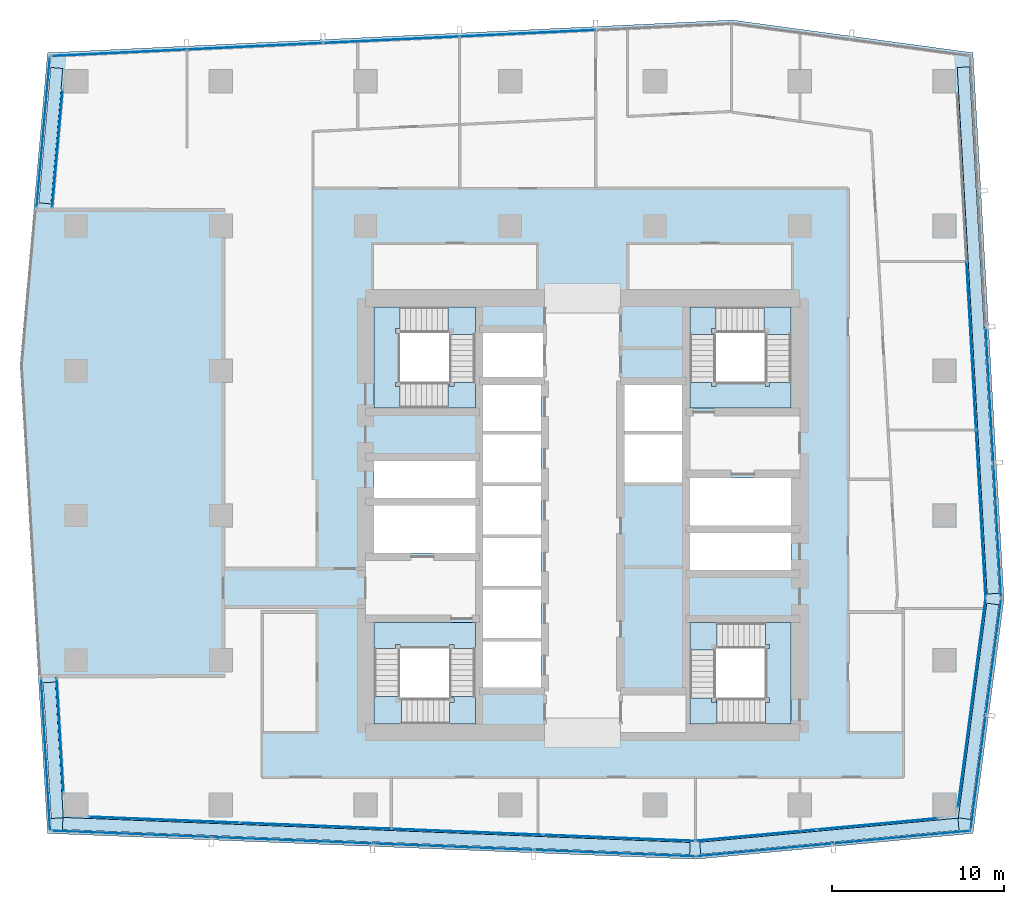
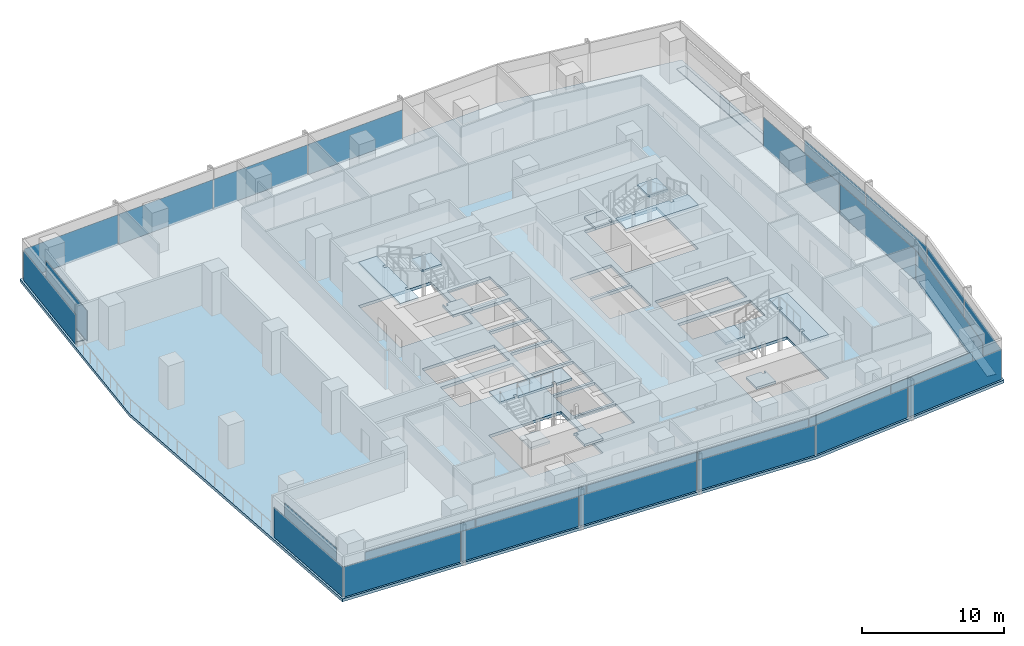
# One storey, part 23 of 35: 33 plates, 13 slabs, 17 elements without a shape of their own.
"""IFC4 building model written with IfcOpenShell, lengths in metres."""

from ifc_helpers import new_model, si_unit, direction, frame, origin, origin_2d, place, context, subcontext, project, spatial, polyline, rectangle, outline, extrude, material, layer, layer_set, type_object, element, aggregate, save


model = new_model("IFC4")

# Units and contexts
model_context = context("Model", 3, precision=1e-05, world=origin(), true_north=direction((0.0, 1.0)))
body_context = subcontext(model_context, "Body", "Model", "MODEL_VIEW")
ifc_project = project(units=[si_unit("LENGTHUNIT", "METRE"), si_unit("AREAUNIT", "SQUARE_METRE"), si_unit("VOLUMEUNIT", "CUBIC_METRE"), si_unit("PLANEANGLEUNIT", "RADIAN"), si_unit("MASSUNIT", "GRAM", prefix="KILO")], contexts=[model_context])

# Site, building, storey
site_placement = place(None, origin())
site = spatial("IfcSite", under=ifc_project, at=site_placement, CompositionType="ELEMENT")
building_placement = place(site_placement, origin())
building = spatial("IfcBuilding", under=site, at=building_placement, Name="Rekha Terrace Tower", CompositionType="ELEMENT")
storey_placement = place(building_placement, frame((0.0, 0.0, 191.449951171875)))
storey = spatial("IfcBuildingStorey", under=building, at=storey_placement, Name="L48", CompositionType="ELEMENT", Elevation=191.449951171875)

# Curtain wall, plates
ifc_material_1 = material(Name="Aluminium framing", Category="aluminium")
curtain_wall_type_1 = type_object("IfcCurtainWallType", Name="CW1 double skin inner glazing", PredefinedType="USERDEFINED", material=ifc_material_1)
curtain_wall_1_placement = place(storey_placement, origin())
curtain_wall_1 = element("IfcCurtainWall", 1, at=curtain_wall_1_placement, inside=storey, type_object=curtain_wall_type_1, Name="CW1 double skin inner glazing", ObjectType="DOUBLE SKIN INNER GLAZING", PredefinedType="USERDEFINED")
ifc_material_2 = material(Name="Double-glazed low-e unit 32", Category="glass")
ifc_layer_1 = layer(ifc_material_2, 0.031982421875)
ifc_layer_set_1 = layer_set([ifc_layer_1], Name="Double-glazed low-e unit 32")
plate_type_1 = type_object("IfcPlateType", Name="CW1 jumbo vision panel, double-glazed low-e unit 32", PredefinedType="CURTAIN_PANEL", material=ifc_layer_set_1)
plate_1_placement = place(storey_placement, frame((13.51318359375, 15.94091796875, 0.0), z_axis=(0.0, 0.0, 1.0), x_axis=(0.999204775798, -0.039872497061, 0.0)))
plate_1 = element("IfcPlate", 2, at=plate_1_placement, type_object=plate_type_1, Name="CW1 panel 1.1", PredefinedType="CURTAIN_PANEL", context=body_context, shape_type="SweptSolid", body=[
    extrude(rectangle(XDim=8.7138671875, YDim=0.031982421875, at=origin_2d()), origin(), (0.0, 0.0, 1.0), 2.60009765625),
])
plate_2_placement = place(storey_placement, frame((22.301025390625, 15.59033203125, 0.0), z_axis=(0.0, 0.0, 1.0), x_axis=(0.999204775798, -0.039872497061, 0.0)))
plate_2 = element("IfcPlate", 3, at=plate_2_placement, type_object=plate_type_1, Name="CW1 panel 2.1", PredefinedType="CURTAIN_PANEL", context=body_context, shape_type="SweptSolid", body=[
    extrude(rectangle(XDim=8.746337890625, YDim=0.031982421875, at=origin_2d()), origin(), (0.0, 0.0, 1.0), 2.60009765625),
])
plate_3_placement = place(storey_placement, frame((31.10546875, 15.239013671875, 0.0), z_axis=(0.0, 0.0, 1.0), x_axis=(0.999204775798, -0.039872497061, 0.0)))
plate_3 = element("IfcPlate", 4, at=plate_3_placement, type_object=plate_type_1, Name="CW1 panel 3.1", PredefinedType="CURTAIN_PANEL", context=body_context, shape_type="SweptSolid", body=[
    extrude(rectangle(XDim=8.746337890625, YDim=0.031982421875, at=origin_2d()), origin(), (0.0, 0.0, 1.0), 2.60009765625),
])
plate_4_placement = place(storey_placement, frame((39.926025390625, 14.886962890625, 0.0), z_axis=(0.0, 0.0, 1.0), x_axis=(0.999204775798, -0.039872497061, 0.0)))
plate_4 = element("IfcPlate", 5, at=plate_4_placement, type_object=plate_type_1, Name="CW1 panel 4.1", PredefinedType="CURTAIN_PANEL", context=body_context, shape_type="SweptSolid", body=[
    extrude(rectangle(XDim=8.77880859375, YDim=0.031982421875, at=origin_2d()), origin(), (0.0, 0.0, 1.0), 2.60009765625),
])
aggregate(curtain_wall_1, [plate_1, plate_2, plate_3, plate_4])

curtain_wall_2_placement = place(storey_placement, origin())
curtain_wall_2 = element("IfcCurtainWall", 6, at=curtain_wall_2_placement, inside=storey, type_object=curtain_wall_type_1, Name="CW1 double skin inner glazing", ObjectType="DOUBLE SKIN INNER GLAZING", PredefinedType="USERDEFINED")
plate_5_placement = place(storey_placement, frame((47.863037109375, 15.042724609375, 0.0), z_axis=(0.0, 0.0, 1.0), x_axis=(0.995693258742, 0.092708869564, 0.0)))
plate_5 = element("IfcPlate", 7, at=plate_5_placement, type_object=plate_type_1, Name="CW1 panel 1.1", PredefinedType="CURTAIN_PANEL", context=body_context, shape_type="SweptSolid", body=[
    extrude(rectangle(XDim=7.003173828125, YDim=0.031982421875, at=origin_2d()), origin(), (0.0, 0.0, 1.0), 2.60009765625),
])
plate_6_placement = place(storey_placement, frame((54.90087890625, 15.697998046875, 0.0), z_axis=(0.0, 0.0, 1.0), x_axis=(0.995693258742, 0.092708869564, 0.0)))
plate_6 = element("IfcPlate", 8, at=plate_6_placement, type_object=plate_type_1, Name="CW1 panel 2.1", PredefinedType="CURTAIN_PANEL", context=body_context, shape_type="SweptSolid", body=[
    extrude(rectangle(XDim=7.003173828125, YDim=0.031982421875, at=origin_2d()), origin(), (0.0, 0.0, 1.0), 2.60009765625),
])
aggregate(curtain_wall_2, [plate_5, plate_6])

# Curtain wall, plate
curtain_wall_3_placement = place(storey_placement, origin())
curtain_wall_3 = element("IfcCurtainWall", 9, at=curtain_wall_3_placement, inside=storey, type_object=curtain_wall_type_1, Name="CW1 double skin inner glazing", ObjectType="DOUBLE SKIN INNER GLAZING", PredefinedType="USERDEFINED")
plate_7_placement = place(storey_placement, frame((60.38330078125, 22.718505859375, 0.0), z_axis=(0.0, 0.0, 1.0), x_axis=(0.131303603093, 0.991342203185, 0.0)))
plate_7 = element("IfcPlate", 10, at=plate_7_placement, type_object=plate_type_1, Name="CW1 panel 1.1", PredefinedType="CURTAIN_PANEL", context=body_context, shape_type="SweptSolid", body=[
    extrude(rectangle(XDim=12.228759765625, YDim=0.031982421875, at=origin_2d()), origin(), (0.0, 0.0, 1.0), 2.60009765625),
])
aggregate(curtain_wall_3, [plate_7])

# Curtain wall, plates
curtain_wall_4_placement = place(storey_placement, origin())
curtain_wall_4 = element("IfcCurtainWall", 11, at=curtain_wall_4_placement, inside=storey, type_object=curtain_wall_type_1, Name="CW1 double skin inner glazing", ObjectType="DOUBLE SKIN INNER GLAZING", PredefinedType="USERDEFINED")
plate_8_placement = place(storey_placement, frame((60.90771484375, 33.68408203125, 0.0), z_axis=(0.0, 0.0, 1.0), x_axis=(-0.05667319486, 0.998392782919, 0.0)))
plate_8 = element("IfcPlate", 12, at=plate_8_placement, type_object=plate_type_1, Name="CW1 panel 1.1", PredefinedType="CURTAIN_PANEL", context=body_context, shape_type="SweptSolid", body=[
    extrude(rectangle(XDim=9.694091796875, YDim=0.031982421875, at=origin_2d()), origin(), (0.0, 0.0, 1.0), 2.60009765625),
])
plate_9_placement = place(storey_placement, frame((60.353759765625, 43.44384765625, 0.0), z_axis=(0.0, 0.0, 1.0), x_axis=(-0.05667319486, 0.998392782919, 0.0)))
plate_9 = element("IfcPlate", 13, at=plate_9_placement, type_object=plate_type_1, Name="CW1 panel 2.1", PredefinedType="CURTAIN_PANEL", context=body_context, shape_type="SweptSolid", body=[
    extrude(rectangle(XDim=9.7265625, YDim=0.031982421875, at=origin_2d()), origin(), (0.0, 0.0, 1.0), 2.60009765625),
])
aggregate(curtain_wall_4, [plate_8, plate_9])

# Curtain wall, plate
curtain_wall_5_placement = place(storey_placement, origin())
curtain_wall_5 = element("IfcCurtainWall", 14, at=curtain_wall_5_placement, inside=storey, type_object=curtain_wall_type_1, Name="CW1 double skin inner glazing", ObjectType="DOUBLE SKIN INNER GLAZING", PredefinedType="USERDEFINED")
plate_10_placement = place(storey_placement, frame((7.322265625, 54.880615234375, 0.0), z_axis=(0.0, 0.0, 1.0), x_axis=(-0.087957985436, -0.99612418543, 0.0)))
plate_10 = element("IfcPlate", 15, at=plate_10_placement, type_object=plate_type_1, Name="CW1 panel 1.1", PredefinedType="CURTAIN_PANEL", context=body_context, shape_type="SweptSolid", body=[
    extrude(rectangle(XDim=6.833984375, YDim=0.031982421875, at=origin_2d()), origin(), (0.0, 0.0, 1.0), 2.60009765625),
])
aggregate(curtain_wall_5, [plate_10])

curtain_wall_6_placement = place(storey_placement, origin())
curtain_wall_6 = element("IfcCurtainWall", 16, at=curtain_wall_6_placement, inside=storey, type_object=curtain_wall_type_1, Name="CW1 double skin inner glazing", ObjectType="DOUBLE SKIN INNER GLAZING", PredefinedType="USERDEFINED")
plate_11_placement = place(storey_placement, frame((7.47607421875, 20.85205078125, 0.0), z_axis=(0.0, 0.0, 1.0), x_axis=(0.058765082429, -0.998271839274, 0.0)))
plate_11 = element("IfcPlate", 17, at=plate_11_placement, type_object=plate_type_1, Name="CW1 panel 1.1", PredefinedType="CURTAIN_PANEL", context=body_context, shape_type="SweptSolid", body=[
    extrude(rectangle(XDim=6.6015625, YDim=0.031982421875, at=origin_2d()), origin(), (0.0, 0.0, 1.0), 2.60009765625),
])
aggregate(curtain_wall_6, [plate_11])

# Curtain wall, plates
curtain_wall_type_2 = type_object("IfcCurtainWallType", Name="CW2 double skin outer glazing", PredefinedType="USERDEFINED", material=ifc_material_1)
curtain_wall_7_placement = place(storey_placement, origin())
curtain_wall_7 = element("IfcCurtainWall", 18, at=curtain_wall_7_placement, inside=storey, type_object=curtain_wall_type_2, Name="CW2 double skin outer glazing", ObjectType="DOUBLE SKIN OUTER GLAZING", PredefinedType="USERDEFINED")
ifc_material_3 = material(Name="Toughened single glazing 12", Category="glass")
ifc_layer_2 = layer(ifc_material_3, 0.011962890625)
ifc_layer_set_2 = layer_set([ifc_layer_2], Name="Toughened single glazing 12")
plate_type_2 = type_object("IfcPlateType", Name="CW2 jumbo vision panel, toughened single glazing 12", PredefinedType="CURTAIN_PANEL", material=ifc_layer_set_2)
plate_12_placement = place(storey_placement, frame((11.6005859375, 15.116455078125, 0.0), z_axis=(0.0, 0.0, 1.0), x_axis=(0.999204775799, -0.039872497044, 0.0)))
plate_12 = element("IfcPlate", 19, at=plate_12_placement, type_object=plate_type_2, Name="CW2 panel 1.1", PredefinedType="CURTAIN_PANEL", context=body_context, shape_type="SweptSolid", body=[
    extrude(rectangle(XDim=9.24609375, YDim=0.011962890625, at=origin_2d()), origin(), (0.0, 0.0, 1.0), 2.60009765625),
])
plate_13_placement = place(storey_placement, frame((20.939208984375, 14.743896484375, 0.0), z_axis=(0.0, 0.0, 1.0), x_axis=(0.999204775799, -0.039872497044, 0.0)))
plate_13 = element("IfcPlate", 20, at=plate_13_placement, type_object=plate_type_2, Name="CW2 panel 2.1", PredefinedType="CURTAIN_PANEL", context=body_context, shape_type="SweptSolid", body=[
    extrude(rectangle(XDim=9.2861328125, YDim=0.011962890625, at=origin_2d()), origin(), (0.0, 0.0, 1.0), 2.60009765625),
])
plate_14_placement = place(storey_placement, frame((30.2978515625, 14.370361328125, 0.0), z_axis=(0.0, 0.0, 1.0), x_axis=(0.999204775799, -0.039872497044, 0.0)))
plate_14 = element("IfcPlate", 21, at=plate_14_placement, type_object=plate_type_2, Name="CW2 panel 3.1", PredefinedType="CURTAIN_PANEL", context=body_context, shape_type="SweptSolid", body=[
    extrude(rectangle(XDim=9.2861328125, YDim=0.011962890625, at=origin_2d()), origin(), (0.0, 0.0, 1.0), 2.60009765625),
])
plate_15_placement = place(storey_placement, frame((39.676513671875, 13.996337890625, 0.0), z_axis=(0.0, 0.0, 1.0), x_axis=(0.999204775799, -0.039872497044, 0.0)))
plate_15 = element("IfcPlate", 22, at=plate_15_placement, type_object=plate_type_2, Name="CW2 panel 4.1", PredefinedType="CURTAIN_PANEL", context=body_context, shape_type="SweptSolid", body=[
    extrude(rectangle(XDim=9.326171875, YDim=0.011962890625, at=origin_2d()), origin(), (0.0, 0.0, 1.0), 2.60009765625),
])
aggregate(curtain_wall_7, [plate_12, plate_13, plate_14, plate_15])

curtain_wall_8_placement = place(storey_placement, origin())
curtain_wall_8 = element("IfcCurtainWall", 23, at=curtain_wall_8_placement, inside=storey, type_object=curtain_wall_type_2, Name="CW2 double skin outer glazing", ObjectType="DOUBLE SKIN OUTER GLAZING", PredefinedType="USERDEFINED")
plate_16_placement = place(storey_placement, frame((48.348876953125, 14.183837890625, 0.0), z_axis=(0.0, 0.0, 1.0), x_axis=(0.995693258747, 0.092708869512, 0.0)))
plate_16 = element("IfcPlate", 24, at=plate_16_placement, type_object=plate_type_2, Name="CW2 panel 1.1", PredefinedType="CURTAIN_PANEL", context=body_context, shape_type="SweptSolid", body=[
    extrude(rectangle(XDim=7.900634765625, YDim=0.011962890625, at=origin_2d()), origin(), (0.0, 0.0, 1.0), 2.60009765625),
])
plate_17_placement = place(storey_placement, frame((56.3349609375, 14.927490234375, 0.0), z_axis=(0.0, 0.0, 1.0), x_axis=(0.995693258747, 0.092708869512, 0.0)))
plate_17 = element("IfcPlate", 25, at=plate_17_placement, type_object=plate_type_2, Name="CW2 panel 2.1", PredefinedType="CURTAIN_PANEL", context=body_context, shape_type="SweptSolid", body=[
    extrude(rectangle(XDim=7.980712890625, YDim=0.011962890625, at=origin_2d()), origin(), (0.0, 0.0, 1.0), 2.60009765625),
])
aggregate(curtain_wall_8, [plate_16, plate_17])

curtain_wall_9_placement = place(storey_placement, origin())
curtain_wall_9 = element("IfcCurtainWall", 26, at=curtain_wall_9_placement, inside=storey, type_object=curtain_wall_type_2, Name="CW2 double skin outer glazing", ObjectType="DOUBLE SKIN OUTER GLAZING", PredefinedType="USERDEFINED")
plate_18_placement = place(storey_placement, frame((60.756103515625, 18.679443359375, 0.0), z_axis=(0.0, 0.0, 1.0), x_axis=(0.131303603075, 0.991342203187, 0.0)))
plate_18 = element("IfcPlate", 27, at=plate_18_placement, type_object=plate_type_2, Name="CW2 panel 1.1", PredefinedType="CURTAIN_PANEL", context=body_context, shape_type="SweptSolid", body=[
    extrude(rectangle(XDim=6.6630859375, YDim=0.011962890625, at=origin_2d()), origin(), (0.0, 0.0, 1.0), 2.60009765625),
])
plate_19_placement = place(storey_placement, frame((61.646728515625, 25.40380859375, 0.0), z_axis=(0.0, 0.0, 1.0), x_axis=(0.131303603075, 0.991342203187, 0.0)))
plate_19 = element("IfcPlate", 28, at=plate_19_placement, type_object=plate_type_2, Name="CW2 panel 2.1", PredefinedType="CURTAIN_PANEL", context=body_context, shape_type="SweptSolid", body=[
    extrude(rectangle(XDim=6.742919921875, YDim=0.011962890625, at=origin_2d()), origin(), (0.0, 0.0, 1.0), 2.60009765625),
])
aggregate(curtain_wall_9, [plate_18, plate_19])

curtain_wall_10_placement = place(storey_placement, origin())
curtain_wall_10 = element("IfcCurtainWall", 29, at=curtain_wall_10_placement, inside=storey, type_object=curtain_wall_type_2, Name="CW2 double skin outer glazing", ObjectType="DOUBLE SKIN OUTER GLAZING", PredefinedType="USERDEFINED")
plate_20_placement = place(storey_placement, frame((61.8642578125, 32.71142578125, 0.0), z_axis=(0.0, 0.0, 1.0), x_axis=(-0.05667319486, 0.998392782919, 0.0)))
plate_20 = element("IfcPlate", 30, at=plate_20_placement, type_object=plate_type_2, Name="CW2 panel 1.1", PredefinedType="CURTAIN_PANEL", context=body_context, shape_type="SweptSolid", body=[
    extrude(rectangle(XDim=7.783447265625, YDim=0.011962890625, at=origin_2d()), origin(), (0.0, 0.0, 1.0), 2.60009765625),
])
plate_21_placement = place(storey_placement, frame((61.41748046875, 40.582275390625, 0.0), z_axis=(0.0, 0.0, 1.0), x_axis=(-0.05667319486, 0.998392782919, 0.0)))
plate_21 = element("IfcPlate", 31, at=plate_21_placement, type_object=plate_type_2, Name="CW2 panel 2.1", PredefinedType="CURTAIN_PANEL", context=body_context, shape_type="SweptSolid", body=[
    extrude(rectangle(XDim=7.823486328125, YDim=0.011962890625, at=origin_2d()), origin(), (0.0, 0.0, 1.0), 2.60009765625),
])
aggregate(curtain_wall_10, [plate_20, plate_21])

# Curtain wall, plate
curtain_wall_11_placement = place(storey_placement, origin())
curtain_wall_11 = element("IfcCurtainWall", 32, at=curtain_wall_11_placement, inside=storey, type_object=curtain_wall_type_2, Name="CW2 double skin outer glazing", ObjectType="DOUBLE SKIN OUTER GLAZING", PredefinedType="USERDEFINED")
plate_22_placement = place(storey_placement, frame((6.5048828125, 55.8544921875, 0.0), z_axis=(0.0, 0.0, 1.0), x_axis=(-0.087957985471, -0.996124185427, 0.0)))
plate_22 = element("IfcPlate", 33, at=plate_22_placement, type_object=plate_type_2, Name="CW2 panel 1.1", PredefinedType="CURTAIN_PANEL", context=body_context, shape_type="SweptSolid", body=[
    extrude(rectangle(XDim=8.759521484375, YDim=0.011962890625, at=origin_2d()), origin(), (0.0, 0.0, 1.0), 2.60009765625),
])
aggregate(curtain_wall_11, [plate_22])

curtain_wall_12_placement = place(storey_placement, origin())
curtain_wall_12 = element("IfcCurtainWall", 34, at=curtain_wall_12_placement, inside=storey, type_object=curtain_wall_type_2, Name="CW2 double skin outer glazing", ObjectType="DOUBLE SKIN OUTER GLAZING", PredefinedType="USERDEFINED")
plate_23_placement = place(storey_placement, frame((6.641357421875, 19.718017578125, 0.0), z_axis=(0.0, 0.0, 1.0), x_axis=(0.058765082534, -0.998271839268, 0.0)))
plate_23 = element("IfcPlate", 35, at=plate_23_placement, type_object=plate_type_2, Name="CW2 panel 1.1", PredefinedType="CURTAIN_PANEL", context=body_context, shape_type="SweptSolid", body=[
    extrude(rectangle(XDim=8.84326171875, YDim=0.011962890625, at=origin_2d()), origin(), (0.0, 0.0, 1.0), 2.60009765625),
])
aggregate(curtain_wall_12, [plate_23])

# Curtain wall, plates
curtain_wall_type_3 = type_object("IfcCurtainWallType", Name="CW3 north unitised glazing", PredefinedType="USERDEFINED", material=ifc_material_1)
curtain_wall_13_placement = place(storey_placement, origin())
curtain_wall_13 = element("IfcCurtainWall", 36, at=curtain_wall_13_placement, inside=storey, type_object=curtain_wall_type_3, Name="CW3 unitised curtain wall", ObjectType="UNITISED CURTAIN WALL", PredefinedType="USERDEFINED")
ifc_material_4 = material(Name="Double-glazed unit 28", Category="glass")
ifc_layer_3 = layer(ifc_material_4, 0.028076171875)
ifc_layer_set_3 = layer_set([ifc_layer_3], Name="Double-glazed unit 28")
plate_type_3 = type_object("IfcPlateType", Name="CW3 jumbo vision panel, double-glazed unit 28", PredefinedType="CURTAIN_PANEL", material=ifc_layer_set_3)
plate_24_placement = place(storey_placement, frame((34.61572265625, 61.58203125, 0.0), z_axis=(0.0, 0.0, 1.0), x_axis=(-0.998858906204, -0.047758616983, 0.0)))
plate_24 = element("IfcPlate", 37, at=plate_24_placement, type_object=plate_type_3, Name="CW3 panel 2.1", PredefinedType="CURTAIN_PANEL", context=body_context, shape_type="SweptSolid", body=[
    extrude(rectangle(XDim=7.84814453125, YDim=0.028076171875, at=origin_2d()), origin(), (0.0, 0.0, 1.0), 2.60009765625),
])
plate_25_placement = place(storey_placement, frame((26.70654296875, 61.203857421875, 0.0), z_axis=(0.0, 0.0, 1.0), x_axis=(-0.998858906204, -0.047758616983, 0.0)))
plate_25 = element("IfcPlate", 38, at=plate_25_placement, type_object=plate_type_3, Name="CW3 panel 3.1", PredefinedType="CURTAIN_PANEL", context=body_context, shape_type="SweptSolid", body=[
    extrude(rectangle(XDim=7.84814453125, YDim=0.028076171875, at=origin_2d()), origin(), (0.0, 0.0, 1.0), 2.60009765625),
])
plate_26_placement = place(storey_placement, frame((18.79736328125, 60.82568359375, 0.0), z_axis=(0.0, 0.0, 1.0), x_axis=(-0.998858906204, -0.047758616983, 0.0)))
plate_26 = element("IfcPlate", 39, at=plate_26_placement, type_object=plate_type_3, Name="CW3 panel 4.1", PredefinedType="CURTAIN_PANEL", context=body_context, shape_type="SweptSolid", body=[
    extrude(rectangle(XDim=7.84814453125, YDim=0.028076171875, at=origin_2d()), origin(), (0.0, 0.0, 1.0), 2.60009765625),
])
plate_27_placement = place(storey_placement, frame((10.906005859375, 60.448486328125, 0.0), z_axis=(0.0, 0.0, 1.0), x_axis=(-0.998858906204, -0.047758616983, 0.0)))
plate_27 = element("IfcPlate", 40, at=plate_27_placement, type_object=plate_type_3, Name="CW3 panel 5.1", PredefinedType="CURTAIN_PANEL", context=body_context, shape_type="SweptSolid", body=[
    extrude(rectangle(XDim=7.81298828125, YDim=0.028076171875, at=origin_2d()), origin(), (0.0, 0.0, 1.0), 2.60009765625),
])
aggregate(curtain_wall_13, [plate_24, plate_25, plate_26, plate_27])

# Plates
ifc_material_5 = material(Name="Galvanised steel open grating", Category="steel")
ifc_layer_4 = layer(ifc_material_5, 0.050048828125)
ifc_layer_set_4 = layer_set([ifc_layer_4], Name="Galvanised steel open grating")
plate_type_4 = type_object("IfcPlateType", Name="GT1 cavity walkway grating 50", PredefinedType="USERDEFINED", material=ifc_layer_set_4)
plate_28_placement = place(storey_placement, frame((25.8251953125, 14.999267578125, 0.0), z_axis=(0.0, 0.0, 1.0), x_axis=(0.999204775799, -0.039872497044, 0.0)))
element("IfcPlate", 41, at=plate_28_placement, inside=storey, type_object=plate_type_4, Name="Cavity walkway grating", ObjectType="CAVITY WALKWAY GRATING", PredefinedType="USERDEFINED", context=body_context, shape_type="SweptSolid", body=[
    extrude(rectangle(XDim=36.4267578125, YDim=0.705078125, at=origin_2d()), origin(), (0.0, 0.0, 1.0), 0.050048828125),
])
plate_29_placement = place(storey_placement, frame((52.116455078125, 14.98681640625, 0.0), z_axis=(0.0, 0.0, 1.0), x_axis=(0.995693258745, 0.092708869529, 0.0)))
element("IfcPlate", 42, at=plate_29_placement, inside=storey, type_object=plate_type_4, Name="Cavity walkway grating", ObjectType="CAVITY WALKWAY GRATING", PredefinedType="USERDEFINED", context=body_context, shape_type="SweptSolid", body=[
    extrude(rectangle(XDim=15.052734375, YDim=0.705078125, at=origin_2d()), origin(), (0.0, 0.0, 1.0), 0.050048828125),
])
plate_30_placement = place(storey_placement, frame((60.7734375, 22.237548828125, 0.0), z_axis=(0.0, 0.0, 1.0), x_axis=(0.131303603075, 0.991342203187, 0.0)))
element("IfcPlate", 43, at=plate_30_placement, inside=storey, type_object=plate_type_4, Name="Cavity walkway grating", ObjectType="CAVITY WALKWAY GRATING", PredefinedType="USERDEFINED", context=body_context, shape_type="SweptSolid", body=[
    extrude(rectangle(XDim=12.564697265625, YDim=0.705078125, at=origin_2d()), origin(), (0.0, 0.0, 1.0), 0.050048828125),
])
plate_31_placement = place(storey_placement, frame((60.753662109375, 44.338134765625, 0.0), z_axis=(0.0, 0.0, 1.0), x_axis=(-0.05667319486, 0.998392782919, 0.0)))
element("IfcPlate", 44, at=plate_31_placement, inside=storey, type_object=plate_type_4, Name="Cavity walkway grating", ObjectType="CAVITY WALKWAY GRATING", PredefinedType="USERDEFINED", context=body_context, shape_type="SweptSolid", body=[
    extrude(rectangle(XDim=30.6005859375, YDim=0.705078125, at=origin_2d()), origin(), (0.0, 0.0, 1.0), 0.050048828125),
])
plate_32_placement = place(storey_placement, frame((6.9375, 55.63916015625, 0.0), z_axis=(0.0, 0.0, 1.0), x_axis=(-0.087957985471, -0.996124185427, 0.0)))
element("IfcPlate", 45, at=plate_32_placement, inside=storey, type_object=plate_type_4, Name="Cavity walkway grating", ObjectType="CAVITY WALKWAY GRATING", PredefinedType="USERDEFINED", context=body_context, shape_type="SweptSolid", body=[
    extrude(rectangle(XDim=7.886962890625, YDim=0.705078125, at=origin_2d()), origin(), (0.0, 0.0, 1.0), 0.050048828125),
])
plate_33_placement = place(storey_placement, frame((7.0771484375, 19.974853515625, 0.0), z_axis=(0.0, 0.0, 1.0), x_axis=(0.058765082516, -0.998271839269, 0.0)))
element("IfcPlate", 46, at=plate_33_placement, inside=storey, type_object=plate_type_4, Name="Cavity walkway grating", ObjectType="CAVITY WALKWAY GRATING", PredefinedType="USERDEFINED", context=body_context, shape_type="SweptSolid", body=[
    extrude(rectangle(XDim=7.88916015625, YDim=0.705078125, at=origin_2d()), origin(), (0.0, 0.0, 1.0), 0.050048828125),
])

# Stair, slabs
ifc_material_6 = material(Name="Concrete M40", Category="concrete")
stair_type = type_object("IfcStairType", Name="ST30 stair, 30 risers of 125, going 310, 1500 wide flights, 3 flights", PredefinedType="HALF_TURN_STAIR", material=ifc_material_6)
stair_1_placement = place(storey_placement, origin())
stair_1 = element("IfcStair", 47, at=stair_1_placement, inside=storey, type_object=stair_type, Name="Stair ST1 L48 to L49", PredefinedType="HALF_TURN_STAIR")
ifc_layer_5 = layer(ifc_material_6, 0.199951171875)
ifc_layer_set_5 = layer_set([ifc_layer_5], Name="Concrete M40")
slab_type_1 = type_object("IfcSlabType", Name="LD1 200 concrete stair landing", PredefinedType="LANDING", material=ifc_layer_set_5)
slab_1_placement = place(storey_placement, frame((0.0, 0.0, 1.050048828125)))
slab_1 = element("IfcSlab", 48, at=slab_1_placement, type_object=slab_type_1, Name="ST1 landing 1", PredefinedType="LANDING", context=body_context, shape_type="SweptSolid", body=[
    extrude(outline(polyline([(30.074951171875, 21.5), (31.574951171875, 21.5), (31.574951171875, 23.0849609375), (30.074951171875, 23.0849609375), (30.074951171875, 23.0), (30.324951171875, 23.0), (30.324951171875, 22.75), (30.074951171875, 22.75), (30.074951171875, 21.5)])), origin(), (0.0, 0.0, 1.0), 0.199951171875),
])
slab_2_placement = place(storey_placement, frame((0.0, 0.0, 2.300048828125)))
slab_2 = element("IfcSlab", 49, at=slab_2_placement, type_object=slab_type_1, Name="ST1 landing 2", PredefinedType="LANDING", context=body_context, shape_type="SweptSolid", body=[
    extrude(outline(polyline([(27.199951171875, 23.0849609375), (25.699951171875, 23.0849609375), (25.699951171875, 21.5), (27.284912109375, 21.5), (27.284912109375, 23.0), (27.199951171875, 23.0), (27.199951171875, 23.0849609375)])), origin(), (0.0, 0.0, 1.0), 0.199951171875),
])
slab_3_placement = place(storey_placement, frame((0.0, 0.0, 3.550048828125)))
slab_3 = element("IfcSlab", 50, at=slab_3_placement, type_object=slab_type_1, Name="ST1 landing 3", PredefinedType="LANDING", context=body_context, shape_type="SweptSolid", body=[
    extrude(outline(polyline([(31.574951171875, 25.875), (31.574951171875, 27.375), (25.699951171875, 27.375), (25.699951171875, 25.875), (26.949951171875, 25.875), (26.949951171875, 26.125), (27.199951171875, 26.125), (27.199951171875, 25.875), (30.074951171875, 25.875), (30.074951171875, 26.125), (30.324951171875, 26.125), (30.324951171875, 25.875), (31.574951171875, 25.875)])), origin(), (0.0, 0.0, 1.0), 0.199951171875),
])
aggregate(stair_1, [slab_1, slab_2, slab_3])

stair_2_placement = place(storey_placement, origin())
stair_2 = element("IfcStair", 51, at=stair_2_placement, inside=storey, type_object=stair_type, Name="Stair ST2 L48 to L49", PredefinedType="HALF_TURN_STAIR")
slab_4_placement = place(storey_placement, frame((0.0, 0.0, 1.050048828125)))
slab_4 = element("IfcSlab", 52, at=slab_4_placement, type_object=slab_type_1, Name="ST2 landing 1", PredefinedType="LANDING", context=body_context, shape_type="SweptSolid", body=[
    extrude(outline(polyline([(45.52490234375, 45.699951171875), (44.02490234375, 45.699951171875), (44.02490234375, 44.114990234375), (45.52490234375, 44.114990234375), (45.52490234375, 44.199951171875), (45.27490234375, 44.199951171875), (45.27490234375, 44.449951171875), (45.52490234375, 44.449951171875), (45.52490234375, 45.699951171875)])), origin(), (0.0, 0.0, 1.0), 0.199951171875),
])
slab_5_placement = place(storey_placement, frame((0.0, 0.0, 2.300048828125)))
slab_5 = element("IfcSlab", 53, at=slab_5_placement, type_object=slab_type_1, Name="ST2 landing 2", PredefinedType="LANDING", context=body_context, shape_type="SweptSolid", body=[
    extrude(outline(polyline([(48.39990234375, 44.114990234375), (49.89990234375, 44.114990234375), (49.89990234375, 45.699951171875), (48.31494140625, 45.699951171875), (48.31494140625, 44.199951171875), (48.39990234375, 44.199951171875), (48.39990234375, 44.114990234375)])), origin(), (0.0, 0.0, 1.0), 0.199951171875),
])
slab_6_placement = place(storey_placement, frame((0.0, 0.0, 3.550048828125)))
slab_6 = element("IfcSlab", 54, at=slab_6_placement, type_object=slab_type_1, Name="ST2 landing 3", PredefinedType="LANDING", context=body_context, shape_type="SweptSolid", body=[
    extrude(outline(polyline([(44.02490234375, 41.324951171875), (44.02490234375, 39.824951171875), (49.89990234375, 39.824951171875), (49.89990234375, 41.324951171875), (48.64990234375, 41.324951171875), (48.64990234375, 41.074951171875), (48.39990234375, 41.074951171875), (48.39990234375, 41.324951171875), (45.52490234375, 41.324951171875), (45.52490234375, 41.074951171875), (45.27490234375, 41.074951171875), (45.27490234375, 41.324951171875), (44.02490234375, 41.324951171875)])), origin(), (0.0, 0.0, 1.0), 0.199951171875),
])
aggregate(stair_2, [slab_4, slab_5, slab_6])

stair_3_placement = place(storey_placement, origin())
stair_3 = element("IfcStair", 55, at=stair_3_placement, inside=storey, type_object=stair_type, Name="Stair ST3 L48 to L49", PredefinedType="HALF_TURN_STAIR")
slab_7_placement = place(storey_placement, frame((0.0, 0.0, 1.050048828125)))
slab_7 = element("IfcSlab", 56, at=slab_7_placement, type_object=slab_type_1, Name="ST3 landing 1", PredefinedType="LANDING", context=body_context, shape_type="SweptSolid", body=[
    extrude(outline(polyline([(44.02490234375, 23.0), (44.02490234375, 21.5), (45.610107421875, 21.5), (45.610107421875, 23.0), (45.52490234375, 23.0), (45.52490234375, 22.75), (45.27490234375, 22.75), (45.27490234375, 23.0), (44.02490234375, 23.0)])), origin(), (0.0, 0.0, 1.0), 0.199951171875),
])
slab_8_placement = place(storey_placement, frame((0.0, 0.0, 2.300048828125)))
slab_8 = element("IfcSlab", 57, at=slab_8_placement, type_object=slab_type_1, Name="ST3 landing 2", PredefinedType="LANDING", context=body_context, shape_type="SweptSolid", body=[
    extrude(outline(polyline([(45.610107421875, 25.875), (45.610107421875, 27.375), (44.02490234375, 27.375), (44.02490234375, 25.7900390625), (45.52490234375, 25.7900390625), (45.52490234375, 25.875), (45.610107421875, 25.875)])), origin(), (0.0, 0.0, 1.0), 0.199951171875),
])
slab_9_placement = place(storey_placement, frame((0.0, 0.0, 3.550048828125)))
slab_9 = element("IfcSlab", 58, at=slab_9_placement, type_object=slab_type_1, Name="ST3 landing 3", PredefinedType="LANDING", context=body_context, shape_type="SweptSolid", body=[
    extrude(outline(polyline([(48.39990234375, 21.5), (49.89990234375, 21.5), (49.89990234375, 27.375), (48.39990234375, 27.375), (48.39990234375, 26.125), (48.64990234375, 26.125), (48.64990234375, 25.875), (48.39990234375, 25.875), (48.39990234375, 23.0), (48.64990234375, 23.0), (48.64990234375, 22.75), (48.39990234375, 22.75), (48.39990234375, 21.5)])), origin(), (0.0, 0.0, 1.0), 0.199951171875),
])
aggregate(stair_3, [slab_7, slab_8, slab_9])

stair_4_placement = place(storey_placement, origin())
stair_4 = element("IfcStair", 59, at=stair_4_placement, inside=storey, type_object=stair_type, Name="Stair ST4 L48 to L49", PredefinedType="HALF_TURN_STAIR")
slab_10_placement = place(storey_placement, frame((0.0, 0.0, 1.050048828125)))
slab_10 = element("IfcSlab", 60, at=slab_10_placement, type_object=slab_type_1, Name="ST4 landing 1", PredefinedType="LANDING", context=body_context, shape_type="SweptSolid", body=[
    extrude(outline(polyline([(31.574951171875, 41.324951171875), (31.574951171875, 39.824951171875), (29.989990234375, 39.824951171875), (29.989990234375, 41.324951171875), (30.074951171875, 41.324951171875), (30.074951171875, 41.074951171875), (30.324951171875, 41.074951171875), (30.324951171875, 41.324951171875), (31.574951171875, 41.324951171875)])), origin(), (0.0, 0.0, 1.0), 0.199951171875),
])
slab_11_placement = place(storey_placement, frame((0.0, 0.0, 2.300048828125)))
slab_11 = element("IfcSlab", 61, at=slab_11_placement, type_object=slab_type_1, Name="ST4 landing 2", PredefinedType="LANDING", context=body_context, shape_type="SweptSolid", body=[
    extrude(outline(polyline([(29.989990234375, 44.199951171875), (29.989990234375, 45.699951171875), (31.574951171875, 45.699951171875), (31.574951171875, 44.114990234375), (30.074951171875, 44.114990234375), (30.074951171875, 44.199951171875), (29.989990234375, 44.199951171875)])), origin(), (0.0, 0.0, 1.0), 0.199951171875),
])
slab_12_placement = place(storey_placement, frame((0.0, 0.0, 3.550048828125)))
slab_12 = element("IfcSlab", 62, at=slab_12_placement, type_object=slab_type_1, Name="ST4 landing 3", PredefinedType="LANDING", context=body_context, shape_type="SweptSolid", body=[
    extrude(outline(polyline([(27.199951171875, 39.824951171875), (25.699951171875, 39.824951171875), (25.699951171875, 45.699951171875), (27.199951171875, 45.699951171875), (27.199951171875, 44.449951171875), (26.949951171875, 44.449951171875), (26.949951171875, 44.199951171875), (27.199951171875, 44.199951171875), (27.199951171875, 41.324951171875), (26.949951171875, 41.324951171875), (26.949951171875, 41.074951171875), (27.199951171875, 41.074951171875), (27.199951171875, 39.824951171875)])), origin(), (0.0, 0.0, 1.0), 0.199951171875),
])
aggregate(stair_4, [slab_10, slab_11, slab_12])

# Slab
ifc_material_7 = material(Name="Concrete M50", Category="concrete")
ifc_layer_6 = layer(ifc_material_7, 0.25)
ifc_layer_set_6 = layer_set([ifc_layer_6], Name="Concrete M50")
slab_type_2 = type_object("IfcSlabType", Name="SL4 250 post-tensioned flat plate", PredefinedType="FLOOR", material=ifc_layer_set_6)
slab_13_placement = place(storey_placement, frame((0.0, 0.0, -0.25)))
element("IfcSlab", 63, at=slab_13_placement, inside=storey, type_object=slab_type_2, Name="Post-tensioned flat plate L48", PredefinedType="FLOOR", context=body_context, shape_type="SweptSolid", body=[
    extrude(outline(polyline([(5.14990234375, 42.330078125), (6.75, 15.14990234375), (44.340087890625, 13.64990234375), (60.449951171875, 15.14990234375), (62.25, 28.739990234375), (60.449951171875, 60.449951171875), (46.488037109375, 62.35009765625), (6.75, 60.449951171875), (5.14990234375, 42.330078125)]), holes=[polyline([(31.574951171875, 27.375), (31.574951171875, 21.5), (25.699951171875, 21.5), (25.699951171875, 27.375), (31.574951171875, 27.375)]), polyline([(35.375, 26.300048828125), (35.375, 23.625), (32.02490234375, 23.625), (32.02490234375, 26.300048828125), (35.375, 26.300048828125)]), polyline([(35.375, 29.300048828125), (35.375, 26.5), (32.02490234375, 26.5), (32.02490234375, 29.300048828125), (35.375, 29.300048828125)]), polyline([(35.375, 32.300048828125), (35.375, 29.5), (32.02490234375, 29.5), (32.02490234375, 32.300048828125), (35.375, 32.300048828125)]), polyline([(31.574951171875, 34.175048828125), (31.574951171875, 31.425048828125), (25.699951171875, 31.425048828125), (25.699951171875, 34.175048828125), (31.574951171875, 34.175048828125)]), polyline([(35.375, 35.300048828125), (35.375, 32.5), (32.02490234375, 32.5), (32.02490234375, 35.300048828125), (35.375, 35.300048828125)]), polyline([(31.574951171875, 36.77490234375), (31.574951171875, 34.625), (25.699951171875, 34.625), (25.699951171875, 36.77490234375), (31.574951171875, 36.77490234375)]), polyline([(35.375, 38.300048828125), (35.375, 35.5), (32.02490234375, 35.5), (32.02490234375, 38.300048828125), (35.375, 38.300048828125)]), polyline([(31.574951171875, 45.699951171875), (31.574951171875, 39.824951171875), (25.699951171875, 39.824951171875), (25.699951171875, 45.699951171875), (31.574951171875, 45.699951171875)]), polyline([(49.89990234375, 27.375), (49.89990234375, 21.5), (44.02490234375, 21.5), (44.02490234375, 27.375), (49.89990234375, 27.375)]), polyline([(49.89990234375, 32.574951171875), (49.89990234375, 30.425048828125), (44.02490234375, 30.425048828125), (44.02490234375, 32.574951171875), (49.89990234375, 32.574951171875)]), polyline([(49.89990234375, 35.77490234375), (49.89990234375, 33.02490234375), (44.02490234375, 33.02490234375), (44.02490234375, 35.77490234375), (49.89990234375, 35.77490234375)]), polyline([(43.574951171875, 38.300048828125), (43.574951171875, 35.5), (40.22509765625, 35.5), (40.22509765625, 38.300048828125), (43.574951171875, 38.300048828125)]), polyline([(35.375, 41.175048828125), (35.375, 38.5), (32.02490234375, 38.5), (32.02490234375, 41.175048828125), (35.375, 41.175048828125)]), polyline([(43.574951171875, 41.175048828125), (43.574951171875, 38.5), (40.22509765625, 38.5), (40.22509765625, 41.175048828125), (43.574951171875, 41.175048828125)]), polyline([(49.89990234375, 39.824951171875), (44.02490234375, 39.824951171875), (44.02490234375, 45.699951171875), (49.89990234375, 45.699951171875), (49.89990234375, 39.824951171875)]), polyline([(35.5, 41.625), (32.02490234375, 41.625), (32.02490234375, 44.175048828125), (35.5, 44.175048828125), (35.5, 41.625)])]), origin(), (0.0, 0.0, 1.0), 0.25),
])

save(model, "model.ifc")
